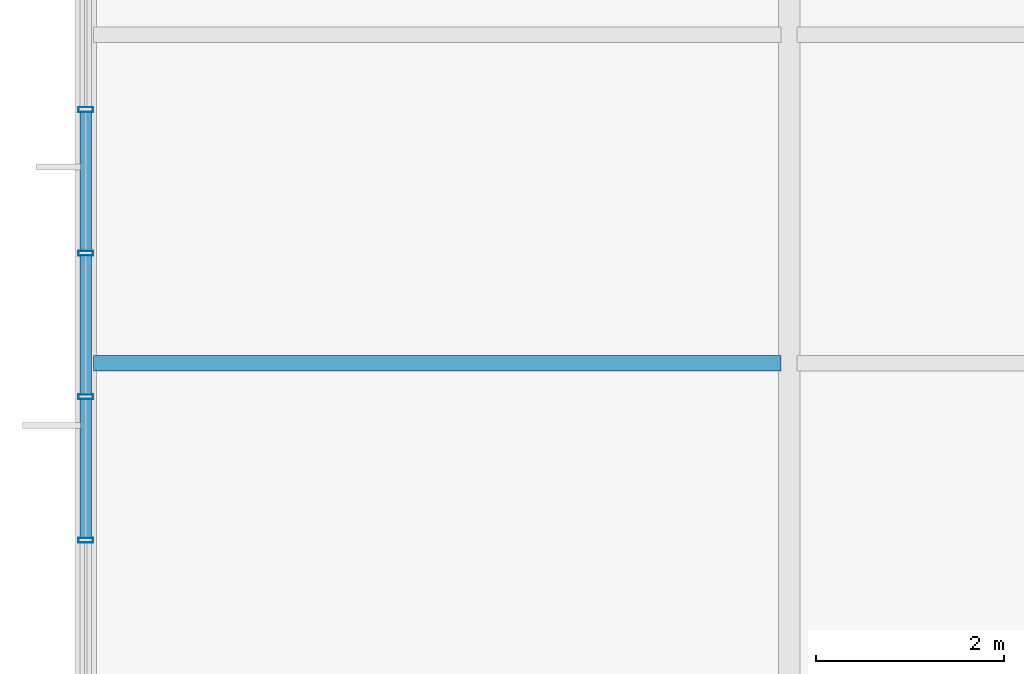
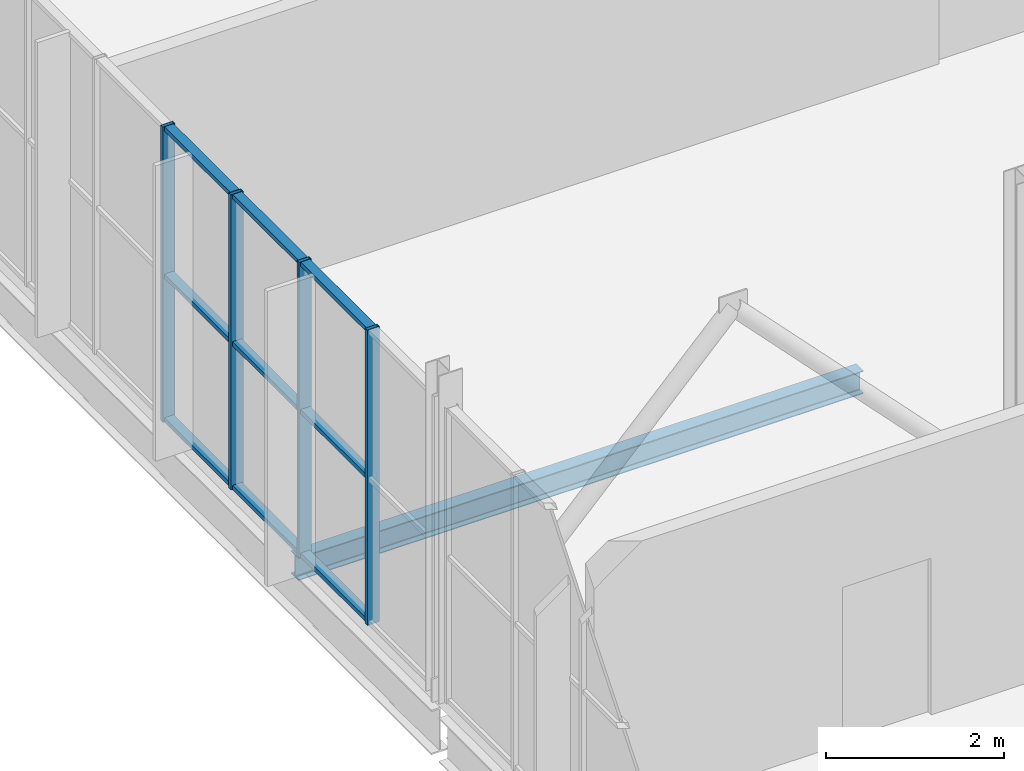
# One storey, part 36 of 324: 13 members, 1 beam, 1 element without a shape of its own.
"""IFC4 building model written with IfcOpenShell, lengths in metres."""

from ifc_helpers import new_model, si_unit, direction, frame, origin, origin_2d, place, context, subcontext, project, spatial, hollow_rectangle, i_section, extrude, material, layer, layer_set, material_profile, profile_set, type_object, element, aggregate, save


model = new_model("IFC4")

# Units and contexts
model_context = context("Model", 3, precision=1e-05, world=origin(), true_north=direction((0.0, 1.0)))
body_context = subcontext(model_context, "Body", "Model", "MODEL_VIEW")
ifc_project = project(units=[si_unit("LENGTHUNIT", "METRE"), si_unit("AREAUNIT", "SQUARE_METRE"), si_unit("VOLUMEUNIT", "CUBIC_METRE"), si_unit("PLANEANGLEUNIT", "RADIAN"), si_unit("MASSUNIT", "GRAM", prefix="KILO")], contexts=[model_context])

# Site, building, storey
site_placement = place(None, origin())
site = spatial("IfcSite", under=ifc_project, at=site_placement, CompositionType="ELEMENT")
building_placement = place(site_placement, origin())
building = spatial("IfcBuilding", under=site, at=building_placement, Name="Solvenia Promenade Tram Depot", CompositionType="ELEMENT")
storey_placement = place(building_placement, frame((0.0, 0.0, 4.5)))
storey = spatial("IfcBuildingStorey", under=building, at=storey_placement, Name="L01", CompositionType="ELEMENT", Elevation=4.5)

# Curtain wall, members
ifc_material_1 = material(Name="Anodized aluminium AW-6063 T6", Category="aluminium")
ifc_layer = layer(ifc_material_1, 0.1201171875, Name="Anodized aluminium AW-6063 T6", Category="aluminium")
ifc_layer_set = layer_set([ifc_layer], Name="Anodized aluminium AW-6063 T6")
curtain_wall_type = type_object("IfcCurtainWallType", Name="CW-Wash-1500", PredefinedType="NOTDEFINED", material=ifc_layer_set)
curtain_wall_placement = place(storey_placement, origin())
curtain_wall = element("IfcCurtainWall", 1, at=curtain_wall_placement, inside=storey, type_object=curtain_wall_type, Name="Curtain Wall CW-V3-W-L1-2", PredefinedType="NOTDEFINED")
ifc_material_profile_1 = material_profile(ifc_material_1, hollow_rectangle(XDim=0.159912109375, YDim=0.052001953125, WallThickness=0.00390625, at=origin_2d()), Name="ALU-M1", Category="aluminium")
ifc_profile_set_1 = profile_set([ifc_material_profile_1], Name="Anodized aluminium AW-6063 T6")
member_type_1 = type_object("IfcMemberType", Name="CWM-Mullion-1", PredefinedType="MULLION", material=ifc_profile_set_1)
member_1_placement = place(storey_placement, frame((0.0, 39.611083984375, 0.0), z_axis=(0.0, 0.0, 1.0), x_axis=(-1.0, 0.0, 0.0)))
member_1 = element("IfcMember", 2, at=member_1_placement, type_object=member_type_1, Name="CW-10 mullion 2", PredefinedType="MULLION", context=body_context, shape_type="SweptSolid", body=[
    extrude(hollow_rectangle(XDim=0.159912109375, YDim=0.052001953125, WallThickness=0.00390625, at=origin_2d()), origin(), (0.0, 0.0, 1.0), 4.050048828125),
])
member_2_placement = place(storey_placement, frame((0.0, 41.142333984375, 0.0), z_axis=(0.0, 0.0, 1.0), x_axis=(-1.0, 0.0, 0.0)))
member_2 = element("IfcMember", 3, at=member_2_placement, type_object=member_type_1, Name="CW-10 mullion 3", PredefinedType="MULLION", context=body_context, shape_type="SweptSolid", body=[
    extrude(hollow_rectangle(XDim=0.159912109375, YDim=0.052001953125, WallThickness=0.00390625, at=origin_2d()), origin(), (0.0, 0.0, 1.0), 4.050048828125),
])
member_3_placement = place(storey_placement, frame((0.0, 42.67333984375, 0.0), z_axis=(0.0, 0.0, 1.0), x_axis=(-1.0, 0.0, 0.0)))
member_3 = element("IfcMember", 4, at=member_3_placement, type_object=member_type_1, Name="CW-10 mullion 4", PredefinedType="MULLION", context=body_context, shape_type="SweptSolid", body=[
    extrude(hollow_rectangle(XDim=0.159912109375, YDim=0.052001953125, WallThickness=0.00390625, at=origin_2d()), origin(), (0.0, 0.0, 1.0), 4.050048828125),
])
member_4_placement = place(storey_placement, frame((0.0, 44.204345703125, 0.0), z_axis=(0.0, 0.0, 1.0), x_axis=(-1.0, 0.0, 0.0)))
member_4 = element("IfcMember", 5, at=member_4_placement, type_object=member_type_1, Name="CW-10 mullion 5", PredefinedType="MULLION", context=body_context, shape_type="SweptSolid", body=[
    extrude(hollow_rectangle(XDim=0.159912109375, YDim=0.052001953125, WallThickness=0.00390625, at=origin_2d()), origin(), (0.0, 0.0, 1.0), 4.050048828125),
])
ifc_material_profile_2 = material_profile(ifc_material_1, hollow_rectangle(XDim=0.1201171875, YDim=0.06005859375, WallThickness=0.00390625, at=origin_2d()), Name="ALU-T1", Category="aluminium")
ifc_profile_set_2 = profile_set([ifc_material_profile_2], Name="Anodized aluminium AW-6063 T6")
member_type_2 = type_object("IfcMemberType", Name="CWT-Transom-1", PredefinedType="USERDEFINED", material=ifc_profile_set_2)
member_5_placement = place(storey_placement, frame((0.0, 39.63720703125, 0.030029296875), z_axis=(0.0, 1.0, 0.0), x_axis=(-1.0, 0.0, 0.0)))
member_5 = element("IfcMember", 6, at=member_5_placement, type_object=member_type_2, Name="CW-10 transom 2.1", ObjectType="TRANSOM", PredefinedType="USERDEFINED", context=body_context, shape_type="SweptSolid", body=[
    extrude(hollow_rectangle(XDim=0.1201171875, YDim=0.06005859375, WallThickness=0.00390625, at=origin_2d()), origin(), (0.0, 0.0, 1.0), 1.47900390625),
])
member_6_placement = place(storey_placement, frame((0.0, 39.63720703125, 2.0), z_axis=(0.0, 1.0, 0.0), x_axis=(-1.0, 0.0, 0.0)))
member_6 = element("IfcMember", 7, at=member_6_placement, type_object=member_type_2, Name="CW-10 transom 2.2", ObjectType="TRANSOM", PredefinedType="USERDEFINED", context=body_context, shape_type="SweptSolid", body=[
    extrude(hollow_rectangle(XDim=0.1201171875, YDim=0.06005859375, WallThickness=0.00390625, at=origin_2d()), origin(), (0.0, 0.0, 1.0), 1.47900390625),
])
member_7_placement = place(storey_placement, frame((0.0, 39.63720703125, 4.02001953125), z_axis=(0.0, 1.0, 0.0), x_axis=(-1.0, 0.0, 0.0)))
member_7 = element("IfcMember", 8, at=member_7_placement, type_object=member_type_2, Name="CW-10 transom 2.3", ObjectType="TRANSOM", PredefinedType="USERDEFINED", context=body_context, shape_type="SweptSolid", body=[
    extrude(hollow_rectangle(XDim=0.1201171875, YDim=0.06005859375, WallThickness=0.00390625, at=origin_2d()), origin(), (0.0, 0.0, 1.0), 1.47900390625),
])
member_8_placement = place(storey_placement, frame((0.0, 41.168212890625, 0.030029296875), z_axis=(0.0, 1.0, 0.0), x_axis=(-1.0, 0.0, 0.0)))
member_8 = element("IfcMember", 9, at=member_8_placement, type_object=member_type_2, Name="CW-10 transom 3.1", ObjectType="TRANSOM", PredefinedType="USERDEFINED", context=body_context, shape_type="SweptSolid", body=[
    extrude(hollow_rectangle(XDim=0.1201171875, YDim=0.06005859375, WallThickness=0.00390625, at=origin_2d()), origin(), (0.0, 0.0, 1.0), 1.47900390625),
])
member_9_placement = place(storey_placement, frame((0.0, 41.168212890625, 2.0), z_axis=(0.0, 1.0, 0.0), x_axis=(-1.0, 0.0, 0.0)))
member_9 = element("IfcMember", 10, at=member_9_placement, type_object=member_type_2, Name="CW-10 transom 3.2", ObjectType="TRANSOM", PredefinedType="USERDEFINED", context=body_context, shape_type="SweptSolid", body=[
    extrude(hollow_rectangle(XDim=0.1201171875, YDim=0.06005859375, WallThickness=0.00390625, at=origin_2d()), origin(), (0.0, 0.0, 1.0), 1.47900390625),
])
member_10_placement = place(storey_placement, frame((0.0, 41.168212890625, 4.02001953125), z_axis=(0.0, 1.0, 0.0), x_axis=(-1.0, 0.0, 0.0)))
member_10 = element("IfcMember", 11, at=member_10_placement, type_object=member_type_2, Name="CW-10 transom 3.3", ObjectType="TRANSOM", PredefinedType="USERDEFINED", context=body_context, shape_type="SweptSolid", body=[
    extrude(hollow_rectangle(XDim=0.1201171875, YDim=0.06005859375, WallThickness=0.00390625, at=origin_2d()), origin(), (0.0, 0.0, 1.0), 1.47900390625),
])
member_11_placement = place(storey_placement, frame((0.0, 42.69921875, 0.030029296875), z_axis=(0.0, 1.0, 0.0), x_axis=(-1.0, 0.0, 0.0)))
member_11 = element("IfcMember", 12, at=member_11_placement, type_object=member_type_2, Name="CW-10 transom 4.1", ObjectType="TRANSOM", PredefinedType="USERDEFINED", context=body_context, shape_type="SweptSolid", body=[
    extrude(hollow_rectangle(XDim=0.1201171875, YDim=0.06005859375, WallThickness=0.00390625, at=origin_2d()), origin(), (0.0, 0.0, 1.0), 1.479248046875),
])
member_12_placement = place(storey_placement, frame((0.0, 42.69921875, 2.0), z_axis=(0.0, 1.0, 0.0), x_axis=(-1.0, 0.0, 0.0)))
member_12 = element("IfcMember", 13, at=member_12_placement, type_object=member_type_2, Name="CW-10 transom 4.2", ObjectType="TRANSOM", PredefinedType="USERDEFINED", context=body_context, shape_type="SweptSolid", body=[
    extrude(hollow_rectangle(XDim=0.1201171875, YDim=0.06005859375, WallThickness=0.00390625, at=origin_2d()), origin(), (0.0, 0.0, 1.0), 1.479248046875),
])
member_13_placement = place(storey_placement, frame((0.0, 42.69921875, 4.02001953125), z_axis=(0.0, 1.0, 0.0), x_axis=(-1.0, 0.0, 0.0)))
member_13 = element("IfcMember", 14, at=member_13_placement, type_object=member_type_2, Name="CW-10 transom 4.3", ObjectType="TRANSOM", PredefinedType="USERDEFINED", context=body_context, shape_type="SweptSolid", body=[
    extrude(hollow_rectangle(XDim=0.1201171875, YDim=0.06005859375, WallThickness=0.00390625, at=origin_2d()), origin(), (0.0, 0.0, 1.0), 1.479248046875),
])
aggregate(curtain_wall, [member_1, member_2, member_3, member_4, member_5, member_6, member_7, member_8, member_9, member_10, member_11, member_12, member_13])

# Beam
ifc_material_2 = material(Name="Structural steel ASTM A992 Gr. 50", Category="steel")
ifc_material_profile_3 = material_profile(ifc_material_2, i_section(OverallWidth=0.166015625, OverallDepth=0.31298828125, WebThickness=0.006591796875, FlangeThickness=0.01123046875, FilletRadius=0.010009765625, at=origin_2d()), Name="W310x45", Category="steel")
ifc_profile_set_3 = profile_set([ifc_material_profile_3], Name="Structural steel ASTM A992 Gr. 50")
beam_type = type_object("IfcBeamType", Name="Joist-W310x45", PredefinedType="JOIST", material=ifc_profile_set_3)
beam_placement = place(storey_placement, frame((0.0849609375, 41.5, -0.396484375), z_axis=(1.0, 0.0, 0.0), x_axis=(0.0, 1.0, 0.0)))
element("IfcBeam", 15, at=beam_placement, inside=storey, type_object=beam_type, Name="Secondary Floor Joist BM-L01-0253", PredefinedType="JOIST", context=body_context, shape_type="SweptSolid", body=[
    extrude(i_section(OverallWidth=0.166015625, OverallDepth=0.31298828125, WebThickness=0.006591796875, FlangeThickness=0.01123046875, FilletRadius=0.010009765625, at=origin_2d()), origin(), (0.0, 0.0, 1.0), 7.330078125),
])

save(model, "model.ifc")
